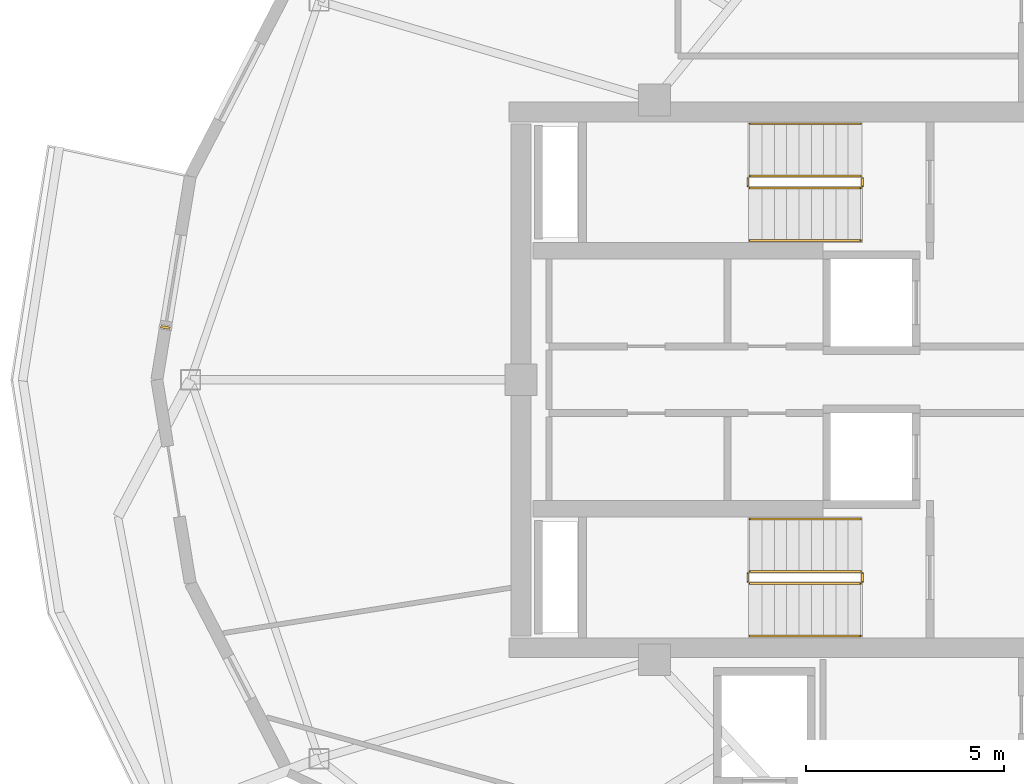
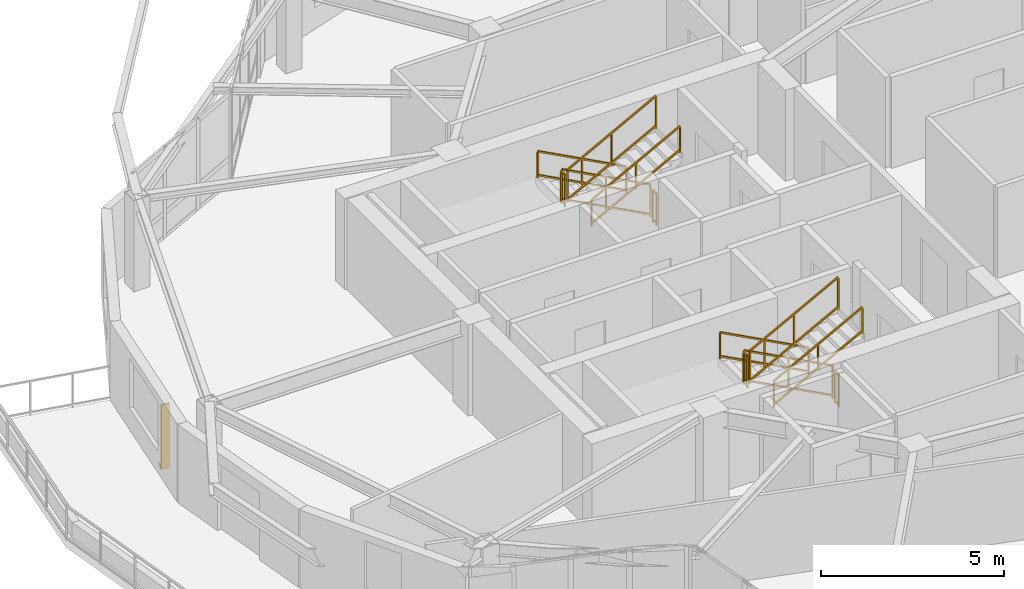
# One storey, part 15 of 16: 12 railings, 1 shading device.
"""IFC4 building model written with IfcOpenShell, lengths in metres."""

from ifc_helpers import new_model, si_unit, direction, frame, origin, origin_2d, place, context, subcontext, project, spatial, rectangle, extrude, material, type_object, element, save


model = new_model("IFC4")

# Units and contexts
model_context = context("Model", 3, precision=1e-05, world=origin(), true_north=direction((0.0, 1.0)))
body_context = subcontext(model_context, "Body", "Model", "MODEL_VIEW")
ifc_project = project(units=[si_unit("LENGTHUNIT", "METRE"), si_unit("AREAUNIT", "SQUARE_METRE"), si_unit("VOLUMEUNIT", "CUBIC_METRE"), si_unit("PLANEANGLEUNIT", "RADIAN"), si_unit("MASSUNIT", "GRAM", prefix="KILO")], contexts=[model_context])

# Site, building, storey
site_placement = place(None, origin())
site = spatial("IfcSite", under=ifc_project, at=site_placement, CompositionType="ELEMENT")
building_placement = place(site_placement, origin())
building = spatial("IfcBuilding", under=site, at=building_placement, Name="Kolvaren Gate Tower and Convention Centre", CompositionType="ELEMENT")
storey_placement = place(building_placement, frame((0.0, 0.0, 219.5)))
storey = spatial("IfcBuildingStorey", under=building, at=storey_placement, Name="L58", CompositionType="ELEMENT", Elevation=219.5)

# Railings
ifc_material_1 = material(Name="Brushed Stainless Steel Grade 316L", Category="steel")
railing_type_1 = type_object("IfcRailingType", Name="ARCH-RL-GUARD-1150", PredefinedType="GUARDRAIL", material=ifc_material_1)
railing_1_placement = place(storey_placement, frame((23.10009765625, 32.1298828125, 0.1650390625)))
element("IfcRailing", 1, at=railing_1_placement, inside=storey, type_object=railing_type_1, Name="L58 ST-T1 stair guard 1", PredefinedType="GUARDRAIL", context=body_context, shape_type="SweptSolid", body=[
    extrude(rectangle(XDim=0.048095703125, YDim=0.048095703125, at=origin_2d()), frame((0.0, 0.0, 1.076171875), z_axis=(-0.882767428149, 0.0, 0.469810246588), x_axis=(0.0, -1.0, 0.0)), (0.0, 0.0, 1.0), 3.16064453125),
    extrude(rectangle(XDim=0.048095703125, YDim=0.048095703125, at=origin_2d()), frame((0.0, 0.0, 0.083984375), z_axis=(-0.882767428149, 0.0, 0.469810246588), x_axis=(0.0, -1.0, 0.0)), (0.0, 0.0, 1.0), 3.16064453125),
    extrude(rectangle(XDim=0.0419921875, YDim=0.0419921875, at=origin_2d()), origin(), (0.0, 0.0, 1.0), 1.050048828125),
    extrude(rectangle(XDim=0.0419921875, YDim=0.0419921875, at=origin_2d()), frame((-2.7900390625, 0.0, 1.48486328125)), (0.0, 0.0, 1.0), 1.050048828125),
    extrude(rectangle(XDim=0.0419921875, YDim=0.0419921875, at=origin_2d()), frame((-1.39501953125, 0.0, 0.742431640625)), (0.0, 0.0, 1.0), 1.050048828125),
])
railing_2_placement = place(storey_placement, frame((20.260009765625, 32.080078125, 1.64990234375)))
element("IfcRailing", 2, at=railing_2_placement, inside=storey, type_object=railing_type_1, Name="L58 ST-T1 stair guard 2", PredefinedType="GUARDRAIL", context=body_context, shape_type="SweptSolid", body=[
    extrude(rectangle(XDim=0.048095703125, YDim=0.048095703125, at=origin_2d()), frame((0.0, 0.0, 1.076171875), z_axis=(0.0, -1.0, 0.0), x_axis=(1.0, 0.0, 0.0)), (0.0, 0.0, 1.0), 0.2001953125),
    extrude(rectangle(XDim=0.048095703125, YDim=0.048095703125, at=origin_2d()), frame((0.0, 0.0, 0.083984375), z_axis=(0.0, -1.0, 0.0), x_axis=(1.0, 0.0, 0.0)), (0.0, 0.0, 1.0), 0.2001953125),
    extrude(rectangle(XDim=0.0419921875, YDim=0.0419921875, at=origin_2d()), origin(), (0.0, 0.0, 1.0), 1.050048828125),
    extrude(rectangle(XDim=0.0419921875, YDim=0.0419921875, at=origin_2d()), frame((0.0, -0.2001953125, 0.0)), (0.0, 0.0, 1.0), 1.050048828125),
])
railing_3_placement = place(storey_placement, frame((20.31005859375, 31.830078125, 1.81494140625)))
element("IfcRailing", 3, at=railing_3_placement, inside=storey, type_object=railing_type_1, Name="L58 ST-T1 stair guard 3", PredefinedType="GUARDRAIL", context=body_context, shape_type="SweptSolid", body=[
    extrude(rectangle(XDim=0.048095703125, YDim=0.048095703125, at=origin_2d()), frame((0.0, 0.0, 1.076171875), z_axis=(0.882735390775, 0.0, 0.469870439454), x_axis=(0.0, 1.0, 0.0)), (0.0, 0.0, 1.0), 3.16064453125),
    extrude(rectangle(XDim=0.048095703125, YDim=0.048095703125, at=origin_2d()), frame((0.0, 0.0, 0.083984375), z_axis=(0.882735390775, 0.0, 0.469870439454), x_axis=(0.0, 1.0, 0.0)), (0.0, 0.0, 1.0), 3.16064453125),
    extrude(rectangle(XDim=0.0419921875, YDim=0.0419921875, at=origin_2d()), origin(), (0.0, 0.0, 1.0), 1.050048828125),
    extrude(rectangle(XDim=0.0419921875, YDim=0.0419921875, at=origin_2d()), frame((2.7900390625, 0.0, 1.485107421875)), (0.0, 0.0, 1.0), 1.050048828125),
    extrude(rectangle(XDim=0.0419921875, YDim=0.0419921875, at=origin_2d()), frame((1.39501953125, 0.0, 0.74267578125)), (0.0, 0.0, 1.0), 1.050048828125),
])
railing_4_placement = place(storey_placement, frame((23.14990234375, 32.080078125, 0.0)))
element("IfcRailing", 4, at=railing_4_placement, inside=storey, type_object=railing_type_1, Name="L58 ST-T1 stair guard 4", PredefinedType="GUARDRAIL", context=body_context, shape_type="SweptSolid", body=[
    extrude(rectangle(XDim=0.048095703125, YDim=0.048095703125, at=origin_2d()), frame((0.0, 0.0, 1.076171875), z_axis=(0.0, -1.0, 0.0), x_axis=(1.0, 0.0, 0.0)), (0.0, 0.0, 1.0), 0.2001953125),
    extrude(rectangle(XDim=0.048095703125, YDim=0.048095703125, at=origin_2d()), frame((0.0, 0.0, 0.083984375), z_axis=(0.0, -1.0, 0.0), x_axis=(1.0, 0.0, 0.0)), (0.0, 0.0, 1.0), 0.2001953125),
    extrude(rectangle(XDim=0.0419921875, YDim=0.0419921875, at=origin_2d()), origin(), (0.0, 0.0, 1.0), 1.050048828125),
    extrude(rectangle(XDim=0.0419921875, YDim=0.0419921875, at=origin_2d()), frame((0.0, -0.2001953125, 0.0)), (0.0, 0.0, 1.0), 1.050048828125),
])
railing_5_placement = place(storey_placement, frame((23.10009765625, 22.169921875, 0.1650390625)))
element("IfcRailing", 5, at=railing_5_placement, inside=storey, type_object=railing_type_1, Name="L58 ST-T2 stair guard 1", PredefinedType="GUARDRAIL", context=body_context, shape_type="SweptSolid", body=[
    extrude(rectangle(XDim=0.048095703125, YDim=0.048095703125, at=origin_2d()), frame((0.0, 0.0, 1.076171875), z_axis=(-0.882767428149, 0.0, 0.469810246588), x_axis=(0.0, -1.0, 0.0)), (0.0, 0.0, 1.0), 3.16064453125),
    extrude(rectangle(XDim=0.048095703125, YDim=0.048095703125, at=origin_2d()), frame((0.0, 0.0, 0.083984375), z_axis=(-0.882767428149, 0.0, 0.469810246588), x_axis=(0.0, -1.0, 0.0)), (0.0, 0.0, 1.0), 3.16064453125),
    extrude(rectangle(XDim=0.0419921875, YDim=0.0419921875, at=origin_2d()), origin(), (0.0, 0.0, 1.0), 1.050048828125),
    extrude(rectangle(XDim=0.0419921875, YDim=0.0419921875, at=origin_2d()), frame((-2.7900390625, 0.0, 1.48486328125)), (0.0, 0.0, 1.0), 1.050048828125),
    extrude(rectangle(XDim=0.0419921875, YDim=0.0419921875, at=origin_2d()), frame((-1.39501953125, 0.0, 0.742431640625)), (0.0, 0.0, 1.0), 1.050048828125),
])
railing_6_placement = place(storey_placement, frame((20.260009765625, 22.1201171875, 1.64990234375)))
element("IfcRailing", 6, at=railing_6_placement, inside=storey, type_object=railing_type_1, Name="L58 ST-T2 stair guard 2", PredefinedType="GUARDRAIL", context=body_context, shape_type="SweptSolid", body=[
    extrude(rectangle(XDim=0.048095703125, YDim=0.048095703125, at=origin_2d()), frame((0.0, 0.0, 1.076171875), z_axis=(0.0, -1.0, 0.0), x_axis=(1.0, 0.0, 0.0)), (0.0, 0.0, 1.0), 0.2001953125),
    extrude(rectangle(XDim=0.048095703125, YDim=0.048095703125, at=origin_2d()), frame((0.0, 0.0, 0.083984375), z_axis=(0.0, -1.0, 0.0), x_axis=(1.0, 0.0, 0.0)), (0.0, 0.0, 1.0), 0.2001953125),
    extrude(rectangle(XDim=0.0419921875, YDim=0.0419921875, at=origin_2d()), origin(), (0.0, 0.0, 1.0), 1.050048828125),
    extrude(rectangle(XDim=0.0419921875, YDim=0.0419921875, at=origin_2d()), frame((0.0, -0.2001953125, 0.0)), (0.0, 0.0, 1.0), 1.050048828125),
])
railing_7_placement = place(storey_placement, frame((20.31005859375, 21.8701171875, 1.81494140625)))
element("IfcRailing", 7, at=railing_7_placement, inside=storey, type_object=railing_type_1, Name="L58 ST-T2 stair guard 3", PredefinedType="GUARDRAIL", context=body_context, shape_type="SweptSolid", body=[
    extrude(rectangle(XDim=0.048095703125, YDim=0.048095703125, at=origin_2d()), frame((0.0, 0.0, 1.076171875), z_axis=(0.882735390775, 0.0, 0.469870439454), x_axis=(0.0, 1.0, 0.0)), (0.0, 0.0, 1.0), 3.16064453125),
    extrude(rectangle(XDim=0.048095703125, YDim=0.048095703125, at=origin_2d()), frame((0.0, 0.0, 0.083984375), z_axis=(0.882735390775, 0.0, 0.469870439454), x_axis=(0.0, 1.0, 0.0)), (0.0, 0.0, 1.0), 3.16064453125),
    extrude(rectangle(XDim=0.0419921875, YDim=0.0419921875, at=origin_2d()), origin(), (0.0, 0.0, 1.0), 1.050048828125),
    extrude(rectangle(XDim=0.0419921875, YDim=0.0419921875, at=origin_2d()), frame((2.7900390625, 0.0, 1.485107421875)), (0.0, 0.0, 1.0), 1.050048828125),
    extrude(rectangle(XDim=0.0419921875, YDim=0.0419921875, at=origin_2d()), frame((1.39501953125, 0.0, 0.74267578125)), (0.0, 0.0, 1.0), 1.050048828125),
])
railing_8_placement = place(storey_placement, frame((23.14990234375, 22.1201171875, 0.0)))
element("IfcRailing", 8, at=railing_8_placement, inside=storey, type_object=railing_type_1, Name="L58 ST-T2 stair guard 4", PredefinedType="GUARDRAIL", context=body_context, shape_type="SweptSolid", body=[
    extrude(rectangle(XDim=0.048095703125, YDim=0.048095703125, at=origin_2d()), frame((0.0, 0.0, 1.076171875), z_axis=(0.0, -1.0, 0.0), x_axis=(1.0, 0.0, 0.0)), (0.0, 0.0, 1.0), 0.2001953125),
    extrude(rectangle(XDim=0.048095703125, YDim=0.048095703125, at=origin_2d()), frame((0.0, 0.0, 0.083984375), z_axis=(0.0, -1.0, 0.0), x_axis=(1.0, 0.0, 0.0)), (0.0, 0.0, 1.0), 0.2001953125),
    extrude(rectangle(XDim=0.0419921875, YDim=0.0419921875, at=origin_2d()), origin(), (0.0, 0.0, 1.0), 1.050048828125),
    extrude(rectangle(XDim=0.0419921875, YDim=0.0419921875, at=origin_2d()), frame((0.0, -0.2001953125, 0.0)), (0.0, 0.0, 1.0), 1.050048828125),
])
railing_type_2 = type_object("IfcRailingType", Name="ARCH-RL-HANDRAIL-920", PredefinedType="HANDRAIL", material=ifc_material_1)
railing_9_placement = place(storey_placement, frame((23.10009765625, 33.449951171875, 0.1650390625)))
element("IfcRailing", 9, at=railing_9_placement, inside=storey, type_object=railing_type_2, Name="L58 ST-T1 stair handrail 1", PredefinedType="HANDRAIL", context=body_context, shape_type="SweptSolid", body=[
    extrude(rectangle(XDim=0.048095703125, YDim=0.048095703125, at=origin_2d()), frame((0.0, 0.0, 0.8759765625), z_axis=(-0.882767428149, 0.0, 0.469810246588), x_axis=(0.0, -1.0, 0.0)), (0.0, 0.0, 1.0), 3.16064453125),
    extrude(rectangle(XDim=0.048095703125, YDim=0.048095703125, at=origin_2d()), frame((0.0, 0.0, 0.083984375), z_axis=(-0.882767428149, 0.0, 0.469810246588), x_axis=(0.0, -1.0, 0.0)), (0.0, 0.0, 1.0), 3.16064453125),
    extrude(rectangle(XDim=0.0419921875, YDim=0.0419921875, at=origin_2d()), origin(), (0.0, 0.0, 1.0), 0.849853515625),
    extrude(rectangle(XDim=0.0419921875, YDim=0.0419921875, at=origin_2d()), frame((-2.7900390625, 0.0, 1.48486328125)), (0.0, 0.0, 1.0), 0.849853515625),
    extrude(rectangle(XDim=0.0419921875, YDim=0.0419921875, at=origin_2d()), frame((-1.39501953125, 0.0, 0.742431640625)), (0.0, 0.0, 1.0), 0.849853515625),
])
railing_10_placement = place(storey_placement, frame((20.31005859375, 30.510009765625, 1.81494140625)))
element("IfcRailing", 10, at=railing_10_placement, inside=storey, type_object=railing_type_2, Name="L58 ST-T1 stair handrail 2", PredefinedType="HANDRAIL", context=body_context, shape_type="SweptSolid", body=[
    extrude(rectangle(XDim=0.048095703125, YDim=0.048095703125, at=origin_2d()), frame((0.0, 0.0, 0.8759765625), z_axis=(0.882735390775, 0.0, 0.469870439454), x_axis=(0.0, 1.0, 0.0)), (0.0, 0.0, 1.0), 3.16064453125),
    extrude(rectangle(XDim=0.048095703125, YDim=0.048095703125, at=origin_2d()), frame((0.0, 0.0, 0.083984375), z_axis=(0.882735390775, 0.0, 0.469870439454), x_axis=(0.0, 1.0, 0.0)), (0.0, 0.0, 1.0), 3.16064453125),
    extrude(rectangle(XDim=0.0419921875, YDim=0.0419921875, at=origin_2d()), origin(), (0.0, 0.0, 1.0), 0.849853515625),
    extrude(rectangle(XDim=0.0419921875, YDim=0.0419921875, at=origin_2d()), frame((2.7900390625, 0.0, 1.485107421875)), (0.0, 0.0, 1.0), 0.849853515625),
    extrude(rectangle(XDim=0.0419921875, YDim=0.0419921875, at=origin_2d()), frame((1.39501953125, 0.0, 0.74267578125)), (0.0, 0.0, 1.0), 0.849853515625),
])
railing_11_placement = place(storey_placement, frame((23.10009765625, 23.489990234375, 0.1650390625)))
element("IfcRailing", 11, at=railing_11_placement, inside=storey, type_object=railing_type_2, Name="L58 ST-T2 stair handrail 1", PredefinedType="HANDRAIL", context=body_context, shape_type="SweptSolid", body=[
    extrude(rectangle(XDim=0.048095703125, YDim=0.048095703125, at=origin_2d()), frame((0.0, 0.0, 0.8759765625), z_axis=(-0.882767428149, 0.0, 0.469810246588), x_axis=(0.0, -1.0, 0.0)), (0.0, 0.0, 1.0), 3.16064453125),
    extrude(rectangle(XDim=0.048095703125, YDim=0.048095703125, at=origin_2d()), frame((0.0, 0.0, 0.083984375), z_axis=(-0.882767428149, 0.0, 0.469810246588), x_axis=(0.0, -1.0, 0.0)), (0.0, 0.0, 1.0), 3.16064453125),
    extrude(rectangle(XDim=0.0419921875, YDim=0.0419921875, at=origin_2d()), origin(), (0.0, 0.0, 1.0), 0.849853515625),
    extrude(rectangle(XDim=0.0419921875, YDim=0.0419921875, at=origin_2d()), frame((-2.7900390625, 0.0, 1.48486328125)), (0.0, 0.0, 1.0), 0.849853515625),
    extrude(rectangle(XDim=0.0419921875, YDim=0.0419921875, at=origin_2d()), frame((-1.39501953125, 0.0, 0.742431640625)), (0.0, 0.0, 1.0), 0.849853515625),
])
railing_12_placement = place(storey_placement, frame((20.31005859375, 20.550048828125, 1.81494140625)))
element("IfcRailing", 12, at=railing_12_placement, inside=storey, type_object=railing_type_2, Name="L58 ST-T2 stair handrail 2", PredefinedType="HANDRAIL", context=body_context, shape_type="SweptSolid", body=[
    extrude(rectangle(XDim=0.048095703125, YDim=0.048095703125, at=origin_2d()), frame((0.0, 0.0, 0.8759765625), z_axis=(0.882735390775, 0.0, 0.469870439454), x_axis=(0.0, 1.0, 0.0)), (0.0, 0.0, 1.0), 3.16064453125),
    extrude(rectangle(XDim=0.048095703125, YDim=0.048095703125, at=origin_2d()), frame((0.0, 0.0, 0.083984375), z_axis=(0.882735390775, 0.0, 0.469870439454), x_axis=(0.0, 1.0, 0.0)), (0.0, 0.0, 1.0), 3.16064453125),
    extrude(rectangle(XDim=0.0419921875, YDim=0.0419921875, at=origin_2d()), origin(), (0.0, 0.0, 1.0), 0.849853515625),
    extrude(rectangle(XDim=0.0419921875, YDim=0.0419921875, at=origin_2d()), frame((2.7900390625, 0.0, 1.485107421875)), (0.0, 0.0, 1.0), 0.849853515625),
    extrude(rectangle(XDim=0.0419921875, YDim=0.0419921875, at=origin_2d()), frame((1.39501953125, 0.0, 0.74267578125)), (0.0, 0.0, 1.0), 0.849853515625),
])

# Shading device
ifc_material_2 = material(Name="Kiln-Fired Bogota Terracotta Ceramic Louvre Profile", Category="masonry")
shading_device_type = type_object("IfcShadingDeviceType", Name="ARCH-SHD-FIN-180", PredefinedType="JALOUSIE", material=ifc_material_2)
shading_device_placement = place(storey_placement, frame((5.592041015625, 28.3193359375, 0.219970703125), z_axis=(0.0, 0.0, 1.0), x_axis=(0.162375401515, 0.986729055508, 0.0)))
element("IfcShadingDevice", 13, at=shading_device_placement, inside=storey, type_object=shading_device_type, Name="Ceramic Vertical Brise-Soleil Fin FN-L58-11", PredefinedType="JALOUSIE", context=body_context, shape_type="SweptSolid", body=[
    extrude(rectangle(XDim=0.06005859375, YDim=0.239990234375, at=origin_2d()), origin(), (0.0, 0.0, 1.0), 2.14990234375),
])

save(model, "model.ifc")
